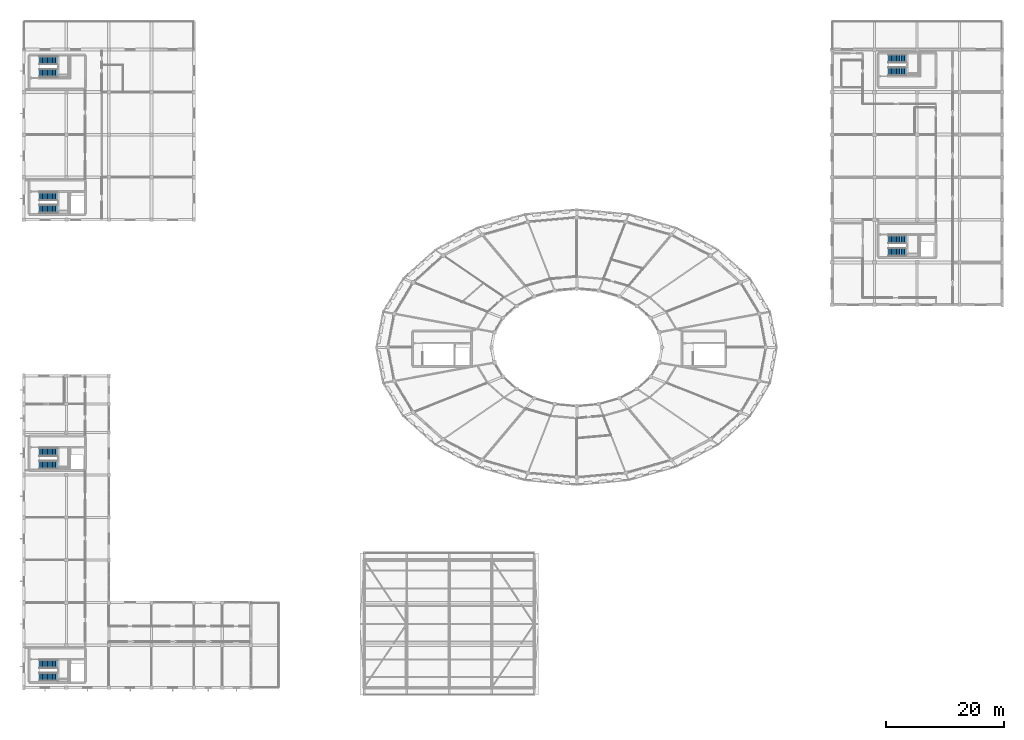
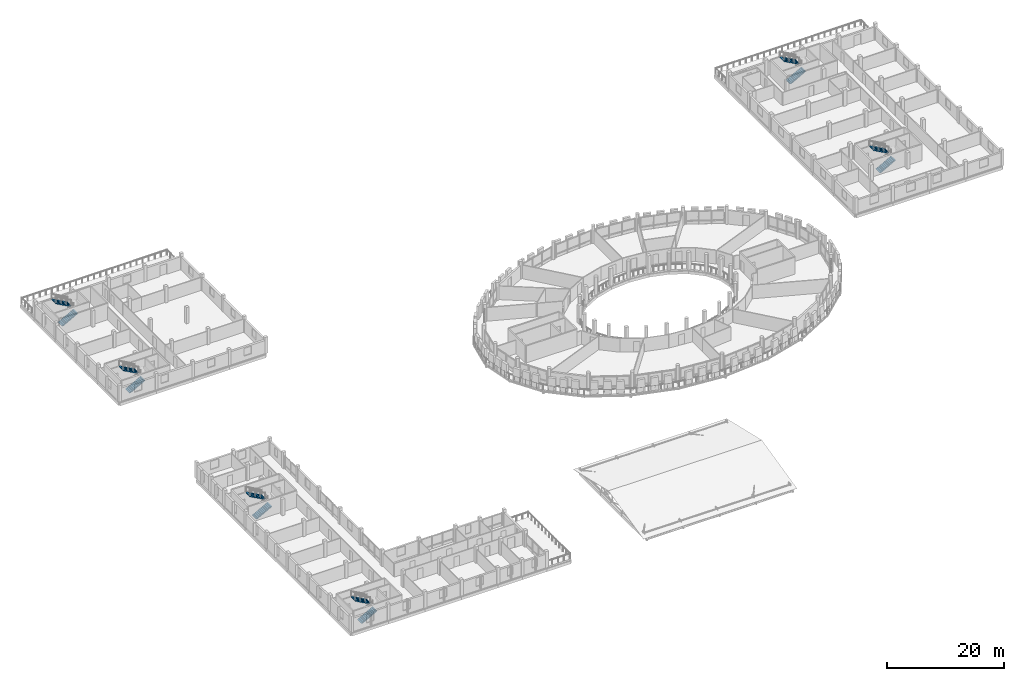
# One storey, part 78 of 84: 12 stair flights, 6 elements without a shape of their own.
"""IFC4 building model written with IfcOpenShell, lengths in metres."""

from ifc_helpers import new_model, si_unit, direction, frame, origin, place, context, subcontext, project, spatial, polyline, outline, extrude, material, type_object, element, aggregate, save


model = new_model("IFC4")

# Units and contexts
model_context = context("Model", 3, precision=1e-05, world=origin(), true_north=direction((0.0, 1.0)))
body_context = subcontext(model_context, "Body", "Model", "MODEL_VIEW")
ifc_project = project(units=[si_unit("LENGTHUNIT", "METRE"), si_unit("AREAUNIT", "SQUARE_METRE"), si_unit("VOLUMEUNIT", "CUBIC_METRE"), si_unit("PLANEANGLEUNIT", "RADIAN"), si_unit("MASSUNIT", "GRAM", prefix="KILO")], contexts=[model_context])

# Site, building, storey
site_placement = place(None, origin())
site = spatial("IfcSite", under=ifc_project, at=site_placement, CompositionType="ELEMENT")
building_placement = place(site_placement, origin())
building = spatial("IfcBuilding", under=site, at=building_placement, Name="Zornivar Specialist Clinic", CompositionType="ELEMENT")
storey_placement = place(building_placement, frame((0.0, 0.0, 12.300048828125)))
storey = spatial("IfcBuildingStorey", under=building, at=storey_placement, Name="L03", CompositionType="ELEMENT", Elevation=12.300048828125)

# Stair, stair flights
ifc_material_1 = material(Name="Concrete C30/37", Category="concrete")
stair_type = type_object("IfcStairType", Name="STR-CORE-UPPER-3700", PredefinedType="HALF_TURN_STAIR", material=ifc_material_1)
stair_1_placement = place(storey_placement, origin())
stair_1 = element("IfcStair", 1, at=stair_1_placement, inside=storey, type_object=stair_type, Name="stair:C1:L03", PredefinedType="HALF_TURN_STAIR")
ifc_material_2 = material(Name="Concrete C30/37", Category="concrete")
stair_flight_type = type_object("IfcStairFlightType", Name="STR-CORE-UPPER-3700-FLT", PredefinedType="STRAIGHT", material=ifc_material_2)
stair_flight_1_placement = place(storey_placement, frame((2.60009765625, 1.820068359375, 0.0), z_axis=(0.0, 0.0, 1.0), x_axis=(1.0, 0.0, 0.0)))
stair_flight_1 = element("IfcStairFlight", 2, at=stair_flight_1_placement, type_object=stair_flight_type, Name="stair:C1:L03:f1", NumberOfRisers=12, NumberOfTreads=11, PredefinedType="STRAIGHT", RiserHeight=0.154167, TreadLength=0.28, context=body_context, shape_type="SweptSolid", body=[
    extrude(outline(polyline([(0.0, 0.0), (0.0, 0.154052734375), (0.280029296875, 0.154052734375), (0.280029296875, 0.308349609375), (0.56005859375, 0.308349609375), (0.56005859375, 0.46240234375), (0.840087890625, 0.46240234375), (0.840087890625, 0.61669921875), (1.1201171875, 0.61669921875), (1.1201171875, 0.770751953125), (1.39990234375, 0.770751953125), (1.39990234375, 0.925048828125), (1.679931640625, 0.925048828125), (1.679931640625, 1.0791015625), (1.9599609375, 1.0791015625), (1.9599609375, 1.2333984375), (2.239990234375, 1.2333984375), (2.239990234375, 1.387451171875), (2.52001953125, 1.387451171875), (2.52001953125, 1.541748046875), (2.800048828125, 1.541748046875), (2.800048828125, 1.69580078125), (3.080078125, 1.69580078125), (3.080078125, 1.85009765625), (3.080078125, 1.51318359375), (0.33154296875, 0.0), (0.0, 0.0)])), frame((0.0, 0.699951171875, 0.0), z_axis=(0.0, -1.0, 0.0), x_axis=(1.0, 0.0, 0.0)), (0.0, 0.0, 1.0), 1.39990234375),
])
stair_flight_2_placement = place(storey_placement, frame((5.679931640625, 3.97998046875, 1.849853515625), z_axis=(0.0, 0.0, 1.0), x_axis=(-1.0, 0.0, 0.0)))
stair_flight_2 = element("IfcStairFlight", 3, at=stair_flight_2_placement, type_object=stair_flight_type, Name="stair:C1:L03:f2", NumberOfRisers=12, NumberOfTreads=11, PredefinedType="STRAIGHT", RiserHeight=0.154167, TreadLength=0.28, context=body_context, shape_type="SweptSolid", body=[
    extrude(outline(polyline([(0.0, 0.0), (0.0, 0.154052734375), (0.280029296875, 0.154052734375), (0.280029296875, 0.308349609375), (0.56005859375, 0.308349609375), (0.56005859375, 0.46240234375), (0.840087890625, 0.46240234375), (0.840087890625, 0.61669921875), (1.1201171875, 0.61669921875), (1.1201171875, 0.770751953125), (1.39990234375, 0.770751953125), (1.39990234375, 0.925048828125), (1.679931640625, 0.925048828125), (1.679931640625, 1.0791015625), (1.9599609375, 1.0791015625), (1.9599609375, 1.2333984375), (2.239990234375, 1.2333984375), (2.239990234375, 1.387451171875), (2.52001953125, 1.387451171875), (2.52001953125, 1.541748046875), (2.800048828125, 1.541748046875), (2.800048828125, 1.69580078125), (3.080078125, 1.69580078125), (3.080078125, 1.85009765625), (3.080078125, 1.51318359375), (0.33154296875, 0.0), (0.0, 0.0)])), frame((0.0, 0.699951171875, 0.0), z_axis=(0.0, -1.0, 0.0), x_axis=(1.0, 0.0, 0.0)), (0.0, 0.0, 1.0), 1.39990234375),
])
aggregate(stair_1, [stair_flight_1, stair_flight_2])

stair_2_placement = place(storey_placement, origin())
stair_2 = element("IfcStair", 4, at=stair_2_placement, inside=storey, type_object=stair_type, Name="stair:C2:L03", PredefinedType="HALF_TURN_STAIR")
stair_flight_3_placement = place(storey_placement, frame((2.60009765625, 37.719970703125, 0.0), z_axis=(0.0, 0.0, 1.0), x_axis=(1.0, 0.0, 0.0)))
stair_flight_3 = element("IfcStairFlight", 5, at=stair_flight_3_placement, type_object=stair_flight_type, Name="stair:C2:L03:f1", NumberOfRisers=12, NumberOfTreads=11, PredefinedType="STRAIGHT", RiserHeight=0.154167, TreadLength=0.28, context=body_context, shape_type="SweptSolid", body=[
    extrude(outline(polyline([(0.0, 0.0), (0.0, 0.154052734375), (0.280029296875, 0.154052734375), (0.280029296875, 0.308349609375), (0.56005859375, 0.308349609375), (0.56005859375, 0.46240234375), (0.840087890625, 0.46240234375), (0.840087890625, 0.61669921875), (1.1201171875, 0.61669921875), (1.1201171875, 0.770751953125), (1.39990234375, 0.770751953125), (1.39990234375, 0.925048828125), (1.679931640625, 0.925048828125), (1.679931640625, 1.0791015625), (1.9599609375, 1.0791015625), (1.9599609375, 1.2333984375), (2.239990234375, 1.2333984375), (2.239990234375, 1.387451171875), (2.52001953125, 1.387451171875), (2.52001953125, 1.541748046875), (2.800048828125, 1.541748046875), (2.800048828125, 1.69580078125), (3.080078125, 1.69580078125), (3.080078125, 1.85009765625), (3.080078125, 1.51318359375), (0.33154296875, 0.0), (0.0, 0.0)])), frame((0.0, 0.699951171875, 0.0), z_axis=(0.0, -1.0, 0.0), x_axis=(1.0, 0.0, 0.0)), (0.0, 0.0, 1.0), 1.39990234375),
])
stair_flight_4_placement = place(storey_placement, frame((5.679931640625, 39.8798828125, 1.849853515625), z_axis=(0.0, 0.0, 1.0), x_axis=(-1.0, 0.0, 0.0)))
stair_flight_4 = element("IfcStairFlight", 6, at=stair_flight_4_placement, type_object=stair_flight_type, Name="stair:C2:L03:f2", NumberOfRisers=12, NumberOfTreads=11, PredefinedType="STRAIGHT", RiserHeight=0.154167, TreadLength=0.28, context=body_context, shape_type="SweptSolid", body=[
    extrude(outline(polyline([(0.0, 0.0), (0.0, 0.154052734375), (0.280029296875, 0.154052734375), (0.280029296875, 0.308349609375), (0.56005859375, 0.308349609375), (0.56005859375, 0.46240234375), (0.840087890625, 0.46240234375), (0.840087890625, 0.61669921875), (1.1201171875, 0.61669921875), (1.1201171875, 0.770751953125), (1.39990234375, 0.770751953125), (1.39990234375, 0.925048828125), (1.679931640625, 0.925048828125), (1.679931640625, 1.0791015625), (1.9599609375, 1.0791015625), (1.9599609375, 1.2333984375), (2.239990234375, 1.2333984375), (2.239990234375, 1.387451171875), (2.52001953125, 1.387451171875), (2.52001953125, 1.541748046875), (2.800048828125, 1.541748046875), (2.800048828125, 1.69580078125), (3.080078125, 1.69580078125), (3.080078125, 1.85009765625), (3.080078125, 1.51318359375), (0.33154296875, 0.0), (0.0, 0.0)])), frame((0.0, 0.699951171875, 0.0), z_axis=(0.0, -1.0, 0.0), x_axis=(1.0, 0.0, 0.0)), (0.0, 0.0, 1.0), 1.39990234375),
])
aggregate(stair_2, [stair_flight_3, stair_flight_4])

stair_3_placement = place(storey_placement, origin())
stair_3 = element("IfcStair", 7, at=stair_3_placement, inside=storey, type_object=stair_type, Name="stair:C7:L03", PredefinedType="HALF_TURN_STAIR")
stair_flight_5_placement = place(storey_placement, frame((2.60009765625, 81.02001953125, 0.0), z_axis=(0.0, 0.0, 1.0), x_axis=(1.0, 0.0, 0.0)))
stair_flight_5 = element("IfcStairFlight", 8, at=stair_flight_5_placement, type_object=stair_flight_type, Name="stair:C7:L03:f1", NumberOfRisers=12, NumberOfTreads=11, PredefinedType="STRAIGHT", RiserHeight=0.154167, TreadLength=0.28, context=body_context, shape_type="SweptSolid", body=[
    extrude(outline(polyline([(0.0, 0.0), (0.0, 0.154052734375), (0.280029296875, 0.154052734375), (0.280029296875, 0.308349609375), (0.56005859375, 0.308349609375), (0.56005859375, 0.46240234375), (0.840087890625, 0.46240234375), (0.840087890625, 0.61669921875), (1.1201171875, 0.61669921875), (1.1201171875, 0.770751953125), (1.39990234375, 0.770751953125), (1.39990234375, 0.925048828125), (1.679931640625, 0.925048828125), (1.679931640625, 1.0791015625), (1.9599609375, 1.0791015625), (1.9599609375, 1.2333984375), (2.239990234375, 1.2333984375), (2.239990234375, 1.387451171875), (2.52001953125, 1.387451171875), (2.52001953125, 1.541748046875), (2.800048828125, 1.541748046875), (2.800048828125, 1.69580078125), (3.080078125, 1.69580078125), (3.080078125, 1.85009765625), (3.080078125, 1.51318359375), (0.33154296875, 0.0), (0.0, 0.0)])), frame((0.0, 0.699951171875, 0.0), z_axis=(0.0, -1.0, 0.0), x_axis=(1.0, 0.0, 0.0)), (0.0, 0.0, 1.0), 1.39990234375),
])
stair_flight_6_placement = place(storey_placement, frame((5.679931640625, 83.179931640625, 1.849853515625), z_axis=(0.0, 0.0, 1.0), x_axis=(-1.0, 0.0, 0.0)))
stair_flight_6 = element("IfcStairFlight", 9, at=stair_flight_6_placement, type_object=stair_flight_type, Name="stair:C7:L03:f2", NumberOfRisers=12, NumberOfTreads=11, PredefinedType="STRAIGHT", RiserHeight=0.154167, TreadLength=0.28, context=body_context, shape_type="SweptSolid", body=[
    extrude(outline(polyline([(0.0, 0.0), (0.0, 0.154052734375), (0.280029296875, 0.154052734375), (0.280029296875, 0.308349609375), (0.56005859375, 0.308349609375), (0.56005859375, 0.46240234375), (0.840087890625, 0.46240234375), (0.840087890625, 0.61669921875), (1.1201171875, 0.61669921875), (1.1201171875, 0.770751953125), (1.39990234375, 0.770751953125), (1.39990234375, 0.925048828125), (1.679931640625, 0.925048828125), (1.679931640625, 1.0791015625), (1.9599609375, 1.0791015625), (1.9599609375, 1.2333984375), (2.239990234375, 1.2333984375), (2.239990234375, 1.387451171875), (2.52001953125, 1.387451171875), (2.52001953125, 1.541748046875), (2.800048828125, 1.541748046875), (2.800048828125, 1.69580078125), (3.080078125, 1.69580078125), (3.080078125, 1.85009765625), (3.080078125, 1.51318359375), (0.33154296875, 0.0), (0.0, 0.0)])), frame((0.0, 0.699951171875, 0.0), z_axis=(0.0, -1.0, 0.0), x_axis=(1.0, 0.0, 0.0)), (0.0, 0.0, 1.0), 1.39990234375),
])
aggregate(stair_3, [stair_flight_5, stair_flight_6])

stair_4_placement = place(storey_placement, origin())
stair_4 = element("IfcStair", 10, at=stair_4_placement, inside=storey, type_object=stair_type, Name="stair:C8:L03", PredefinedType="HALF_TURN_STAIR")
stair_flight_7_placement = place(storey_placement, frame((2.60009765625, 104.02001953125, 0.0), z_axis=(0.0, 0.0, 1.0), x_axis=(1.0, 0.0, 0.0)))
stair_flight_7 = element("IfcStairFlight", 11, at=stair_flight_7_placement, type_object=stair_flight_type, Name="stair:C8:L03:f1", NumberOfRisers=12, NumberOfTreads=11, PredefinedType="STRAIGHT", RiserHeight=0.154167, TreadLength=0.28, context=body_context, shape_type="SweptSolid", body=[
    extrude(outline(polyline([(0.0, 0.0), (0.0, 0.154052734375), (0.280029296875, 0.154052734375), (0.280029296875, 0.308349609375), (0.56005859375, 0.308349609375), (0.56005859375, 0.46240234375), (0.840087890625, 0.46240234375), (0.840087890625, 0.61669921875), (1.1201171875, 0.61669921875), (1.1201171875, 0.770751953125), (1.39990234375, 0.770751953125), (1.39990234375, 0.925048828125), (1.679931640625, 0.925048828125), (1.679931640625, 1.0791015625), (1.9599609375, 1.0791015625), (1.9599609375, 1.2333984375), (2.239990234375, 1.2333984375), (2.239990234375, 1.387451171875), (2.52001953125, 1.387451171875), (2.52001953125, 1.541748046875), (2.800048828125, 1.541748046875), (2.800048828125, 1.69580078125), (3.080078125, 1.69580078125), (3.080078125, 1.85009765625), (3.080078125, 1.51318359375), (0.33154296875, 0.0), (0.0, 0.0)])), frame((0.0, 0.699951171875, 0.0), z_axis=(0.0, -1.0, 0.0), x_axis=(1.0, 0.0, 0.0)), (0.0, 0.0, 1.0), 1.39990234375),
])
stair_flight_8_placement = place(storey_placement, frame((5.679931640625, 106.179931640625, 1.849853515625), z_axis=(0.0, 0.0, 1.0), x_axis=(-1.0, 0.0, 0.0)))
stair_flight_8 = element("IfcStairFlight", 12, at=stair_flight_8_placement, type_object=stair_flight_type, Name="stair:C8:L03:f2", NumberOfRisers=12, NumberOfTreads=11, PredefinedType="STRAIGHT", RiserHeight=0.154167, TreadLength=0.28, context=body_context, shape_type="SweptSolid", body=[
    extrude(outline(polyline([(0.0, 0.0), (0.0, 0.154052734375), (0.280029296875, 0.154052734375), (0.280029296875, 0.308349609375), (0.56005859375, 0.308349609375), (0.56005859375, 0.46240234375), (0.840087890625, 0.46240234375), (0.840087890625, 0.61669921875), (1.1201171875, 0.61669921875), (1.1201171875, 0.770751953125), (1.39990234375, 0.770751953125), (1.39990234375, 0.925048828125), (1.679931640625, 0.925048828125), (1.679931640625, 1.0791015625), (1.9599609375, 1.0791015625), (1.9599609375, 1.2333984375), (2.239990234375, 1.2333984375), (2.239990234375, 1.387451171875), (2.52001953125, 1.387451171875), (2.52001953125, 1.541748046875), (2.800048828125, 1.541748046875), (2.800048828125, 1.69580078125), (3.080078125, 1.69580078125), (3.080078125, 1.85009765625), (3.080078125, 1.51318359375), (0.33154296875, 0.0), (0.0, 0.0)])), frame((0.0, 0.699951171875, 0.0), z_axis=(0.0, -1.0, 0.0), x_axis=(1.0, 0.0, 0.0)), (0.0, 0.0, 1.0), 1.39990234375),
])
aggregate(stair_4, [stair_flight_7, stair_flight_8])

stair_5_placement = place(storey_placement, origin())
stair_5 = element("IfcStair", 13, at=stair_5_placement, inside=storey, type_object=stair_type, Name="stair:C9:L03", PredefinedType="HALF_TURN_STAIR")
stair_flight_9_placement = place(storey_placement, frame((146.300048828125, 73.719970703125, 0.0), z_axis=(0.0, 0.0, 1.0), x_axis=(1.0, 0.0, 0.0)))
stair_flight_9 = element("IfcStairFlight", 14, at=stair_flight_9_placement, type_object=stair_flight_type, Name="stair:C9:L03:f1", NumberOfRisers=12, NumberOfTreads=11, PredefinedType="STRAIGHT", RiserHeight=0.154167, TreadLength=0.28, context=body_context, shape_type="SweptSolid", body=[
    extrude(outline(polyline([(0.0, 0.0), (0.0, 0.154052734375), (0.280029296875, 0.154052734375), (0.280029296875, 0.308349609375), (0.56005859375, 0.308349609375), (0.56005859375, 0.46240234375), (0.840087890625, 0.46240234375), (0.840087890625, 0.61669921875), (1.1201171875, 0.61669921875), (1.1201171875, 0.770751953125), (1.39990234375, 0.770751953125), (1.39990234375, 0.925048828125), (1.679931640625, 0.925048828125), (1.679931640625, 1.0791015625), (1.9599609375, 1.0791015625), (1.9599609375, 1.2333984375), (2.239990234375, 1.2333984375), (2.239990234375, 1.387451171875), (2.52001953125, 1.387451171875), (2.52001953125, 1.541748046875), (2.800048828125, 1.541748046875), (2.800048828125, 1.69580078125), (3.080078125, 1.69580078125), (3.080078125, 1.85009765625), (3.080078125, 1.51318359375), (0.33154296875, 0.0), (0.0, 0.0)])), frame((0.0, 0.699951171875, 0.0), z_axis=(0.0, -1.0, 0.0), x_axis=(1.0, 0.0, 0.0)), (0.0, 0.0, 1.0), 1.39990234375),
])
stair_flight_10_placement = place(storey_placement, frame((149.3798828125, 75.8798828125, 1.849853515625), z_axis=(0.0, 0.0, 1.0), x_axis=(-1.0, 0.0, 0.0)))
stair_flight_10 = element("IfcStairFlight", 15, at=stair_flight_10_placement, type_object=stair_flight_type, Name="stair:C9:L03:f2", NumberOfRisers=12, NumberOfTreads=11, PredefinedType="STRAIGHT", RiserHeight=0.154167, TreadLength=0.28, context=body_context, shape_type="SweptSolid", body=[
    extrude(outline(polyline([(0.0, 0.0), (0.0, 0.154052734375), (0.280029296875, 0.154052734375), (0.280029296875, 0.308349609375), (0.56005859375, 0.308349609375), (0.56005859375, 0.46240234375), (0.840087890625, 0.46240234375), (0.840087890625, 0.61669921875), (1.1201171875, 0.61669921875), (1.1201171875, 0.770751953125), (1.39990234375, 0.770751953125), (1.39990234375, 0.925048828125), (1.679931640625, 0.925048828125), (1.679931640625, 1.0791015625), (1.9599609375, 1.0791015625), (1.9599609375, 1.2333984375), (2.239990234375, 1.2333984375), (2.239990234375, 1.387451171875), (2.52001953125, 1.387451171875), (2.52001953125, 1.541748046875), (2.800048828125, 1.541748046875), (2.800048828125, 1.69580078125), (3.080078125, 1.69580078125), (3.080078125, 1.85009765625), (3.080078125, 1.51318359375), (0.33154296875, 0.0), (0.0, 0.0)])), frame((0.0, 0.699951171875, 0.0), z_axis=(0.0, -1.0, 0.0), x_axis=(1.0, 0.0, 0.0)), (0.0, 0.0, 1.0), 1.39990234375),
])
aggregate(stair_5, [stair_flight_9, stair_flight_10])

stair_6_placement = place(storey_placement, origin())
stair_6 = element("IfcStair", 16, at=stair_6_placement, inside=storey, type_object=stair_type, Name="stair:C10:L03", PredefinedType="HALF_TURN_STAIR")
stair_flight_11_placement = place(storey_placement, frame((146.300048828125, 104.320068359375, 0.0), z_axis=(0.0, 0.0, 1.0), x_axis=(1.0, 0.0, 0.0)))
stair_flight_11 = element("IfcStairFlight", 17, at=stair_flight_11_placement, type_object=stair_flight_type, Name="stair:C10:L03:f1", NumberOfRisers=12, NumberOfTreads=11, PredefinedType="STRAIGHT", RiserHeight=0.154167, TreadLength=0.28, context=body_context, shape_type="SweptSolid", body=[
    extrude(outline(polyline([(0.0, 0.0), (0.0, 0.154052734375), (0.280029296875, 0.154052734375), (0.280029296875, 0.308349609375), (0.56005859375, 0.308349609375), (0.56005859375, 0.46240234375), (0.840087890625, 0.46240234375), (0.840087890625, 0.61669921875), (1.1201171875, 0.61669921875), (1.1201171875, 0.770751953125), (1.39990234375, 0.770751953125), (1.39990234375, 0.925048828125), (1.679931640625, 0.925048828125), (1.679931640625, 1.0791015625), (1.9599609375, 1.0791015625), (1.9599609375, 1.2333984375), (2.239990234375, 1.2333984375), (2.239990234375, 1.387451171875), (2.52001953125, 1.387451171875), (2.52001953125, 1.541748046875), (2.800048828125, 1.541748046875), (2.800048828125, 1.69580078125), (3.080078125, 1.69580078125), (3.080078125, 1.85009765625), (3.080078125, 1.51318359375), (0.33154296875, 0.0), (0.0, 0.0)])), frame((0.0, 0.699951171875, 0.0), z_axis=(0.0, -1.0, 0.0), x_axis=(1.0, 0.0, 0.0)), (0.0, 0.0, 1.0), 1.39990234375),
])
stair_flight_12_placement = place(storey_placement, frame((149.3798828125, 106.47998046875, 1.849853515625), z_axis=(0.0, 0.0, 1.0), x_axis=(-1.0, 0.0, 0.0)))
stair_flight_12 = element("IfcStairFlight", 18, at=stair_flight_12_placement, type_object=stair_flight_type, Name="stair:C10:L03:f2", NumberOfRisers=12, NumberOfTreads=11, PredefinedType="STRAIGHT", RiserHeight=0.154167, TreadLength=0.28, context=body_context, shape_type="SweptSolid", body=[
    extrude(outline(polyline([(0.0, 0.0), (0.0, 0.154052734375), (0.280029296875, 0.154052734375), (0.280029296875, 0.308349609375), (0.56005859375, 0.308349609375), (0.56005859375, 0.46240234375), (0.840087890625, 0.46240234375), (0.840087890625, 0.61669921875), (1.1201171875, 0.61669921875), (1.1201171875, 0.770751953125), (1.39990234375, 0.770751953125), (1.39990234375, 0.925048828125), (1.679931640625, 0.925048828125), (1.679931640625, 1.0791015625), (1.9599609375, 1.0791015625), (1.9599609375, 1.2333984375), (2.239990234375, 1.2333984375), (2.239990234375, 1.387451171875), (2.52001953125, 1.387451171875), (2.52001953125, 1.541748046875), (2.800048828125, 1.541748046875), (2.800048828125, 1.69580078125), (3.080078125, 1.69580078125), (3.080078125, 1.85009765625), (3.080078125, 1.51318359375), (0.33154296875, 0.0), (0.0, 0.0)])), frame((0.0, 0.699951171875, 0.0), z_axis=(0.0, -1.0, 0.0), x_axis=(1.0, 0.0, 0.0)), (0.0, 0.0, 1.0), 1.39990234375),
])
aggregate(stair_6, [stair_flight_11, stair_flight_12])

save(model, "model.ifc")
